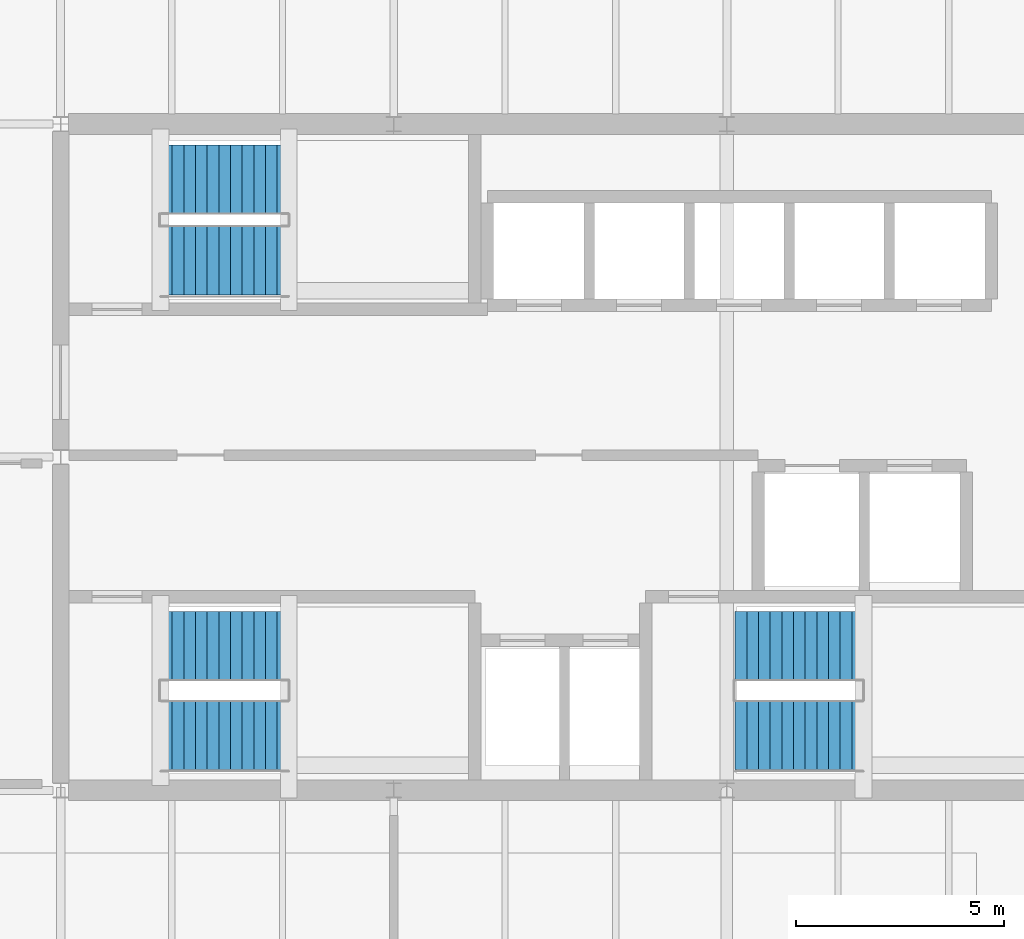
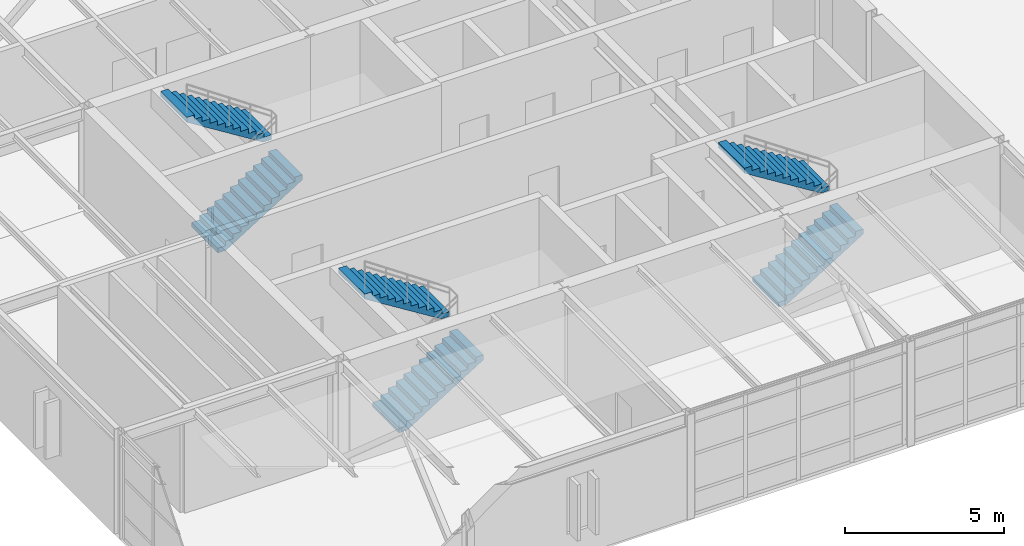
# One storey, part 19 of 21: 6 stair flights, 3 elements without a shape of their own.
"""IFC4 building model written with IfcOpenShell, lengths in metres."""

from ifc_helpers import new_model, si_unit, direction, frame, origin, place, context, subcontext, project, spatial, polyline, outline, extrude, material, type_object, element, aggregate, save


model = new_model("IFC4")

# Units and contexts
model_context = context("Model", 3, precision=1e-05, world=origin(), true_north=direction((0.0, 1.0)))
body_context = subcontext(model_context, "Body", "Model", "MODEL_VIEW")
ifc_project = project(units=[si_unit("LENGTHUNIT", "METRE"), si_unit("AREAUNIT", "SQUARE_METRE"), si_unit("VOLUMEUNIT", "CUBIC_METRE"), si_unit("PLANEANGLEUNIT", "RADIAN"), si_unit("MASSUNIT", "GRAM", prefix="KILO")], contexts=[model_context])

# Site, building, storey
site_placement = place(None, origin())
site = spatial("IfcSite", under=ifc_project, at=site_placement, CompositionType="ELEMENT")
building_placement = place(site_placement, origin())
building = spatial("IfcBuilding", under=site, at=building_placement, Name="Varnela Railside Interchange", CompositionType="ELEMENT")
storey_placement = place(building_placement, frame((0.0, 0.0, 23.800048828125)))
storey = spatial("IfcBuildingStorey", under=building, at=storey_placement, Name="L05", CompositionType="ELEMENT", Elevation=23.800048828125)

# Stair, stair flights
ifc_material = material(Name="Concrete C40", Category="concrete")
stair_type = type_object("IfcStairType", Name="Core Pressurized Stair ST-165", PredefinedType="TWO_STRAIGHT_RUN_STAIR", material=ifc_material)
stair_1_placement = place(storey_placement, origin())
stair_1 = element("IfcStair", 1, at=stair_1_placement, inside=storey, type_object=stair_type, Name="Stair ST-T1 (L05) (SF-202)", PredefinedType="TWO_STRAIGHT_RUN_STAIR")
stair_flight_type = type_object("IfcStairFlightType", Name="Concrete Stair Flight SF-165", PredefinedType="STRAIGHT", material=ifc_material)
stair_flight_1_placement = place(storey_placement, frame((14.39990234375, 55.324951171875, 0.0), z_axis=(0.0, 0.0, 1.0), x_axis=(1.0, 0.0, 0.0)))
stair_flight_1 = element("IfcStairFlight", 2, at=stair_flight_1_placement, type_object=stair_flight_type, Name="ST-T1 flight 1 (SF-203)", NumberOfRisers=12, NumberOfTreads=11, PredefinedType="STRAIGHT", RiserHeight=0.175, TreadLength=0.28, context=body_context, shape_type="SweptSolid", body=[
    extrude(outline(polyline([(0.0, 0.0), (0.0, 0.175048828125), (0.280029296875, 0.175048828125), (0.280029296875, 0.35009765625), (0.56005859375, 0.35009765625), (0.56005859375, 0.52490234375), (0.840087890625, 0.52490234375), (0.840087890625, 0.699951171875), (1.1201171875, 0.699951171875), (1.1201171875, 0.875), (1.39990234375, 0.875), (1.39990234375, 1.050048828125), (1.679931640625, 1.050048828125), (1.679931640625, 1.22509765625), (1.9599609375, 1.22509765625), (1.9599609375, 1.39990234375), (2.239990234375, 1.39990234375), (2.239990234375, 1.574951171875), (2.52001953125, 1.574951171875), (2.52001953125, 1.75), (2.800048828125, 1.75), (2.800048828125, 1.925048828125), (3.080078125, 1.925048828125), (3.080078125, 2.10009765625), (3.080078125, 1.736328125), (0.3017578125, 0.0), (0.0, 0.0)])), frame((0.0, 0.824951171875, 0.0), z_axis=(0.0, -1.0, 0.0), x_axis=(1.0, 0.0, 0.0)), (0.0, 0.0, 1.0), 1.64990234375),
])
stair_flight_2_placement = place(storey_placement, frame((17.47998046875, 57.47509765625, 2.099853515625), z_axis=(0.0, 0.0, 1.0), x_axis=(-1.0, 0.0, 0.0)))
stair_flight_2 = element("IfcStairFlight", 3, at=stair_flight_2_placement, type_object=stair_flight_type, Name="ST-T1 flight 2 (SF-204)", NumberOfRisers=12, NumberOfTreads=11, PredefinedType="STRAIGHT", RiserHeight=0.175, TreadLength=0.28, context=body_context, shape_type="SweptSolid", body=[
    extrude(outline(polyline([(0.0, 0.0), (0.0, 0.175048828125), (0.280029296875, 0.175048828125), (0.280029296875, 0.35009765625), (0.56005859375, 0.35009765625), (0.56005859375, 0.52490234375), (0.840087890625, 0.52490234375), (0.840087890625, 0.699951171875), (1.1201171875, 0.699951171875), (1.1201171875, 0.875), (1.39990234375, 0.875), (1.39990234375, 1.050048828125), (1.679931640625, 1.050048828125), (1.679931640625, 1.22509765625), (1.9599609375, 1.22509765625), (1.9599609375, 1.39990234375), (2.239990234375, 1.39990234375), (2.239990234375, 1.574951171875), (2.52001953125, 1.574951171875), (2.52001953125, 1.75), (2.800048828125, 1.75), (2.800048828125, 1.925048828125), (3.080078125, 1.925048828125), (3.080078125, 2.10009765625), (3.080078125, 1.736328125), (0.3017578125, 0.0), (0.0, 0.0)])), frame((0.0, 0.824951171875, 0.0), z_axis=(0.0, -1.0, 0.0), x_axis=(1.0, 0.0, 0.0)), (0.0, 0.0, 1.0), 1.64990234375),
])
aggregate(stair_1, [stair_flight_1, stair_flight_2])

stair_2_placement = place(storey_placement, origin())
stair_2 = element("IfcStair", 4, at=stair_2_placement, inside=storey, type_object=stair_type, Name="Stair ST-T2 (L05) (SF-205)", PredefinedType="TWO_STRAIGHT_RUN_STAIR")
stair_flight_3_placement = place(storey_placement, frame((28.199951171875, 55.324951171875, 0.0), z_axis=(0.0, 0.0, 1.0), x_axis=(1.0, 0.0, 0.0)))
stair_flight_3 = element("IfcStairFlight", 5, at=stair_flight_3_placement, type_object=stair_flight_type, Name="ST-T2 flight 1 (SF-206)", NumberOfRisers=12, NumberOfTreads=11, PredefinedType="STRAIGHT", RiserHeight=0.175, TreadLength=0.28, context=body_context, shape_type="SweptSolid", body=[
    extrude(outline(polyline([(0.0, 0.0), (0.0, 0.175048828125), (0.280029296875, 0.175048828125), (0.280029296875, 0.35009765625), (0.56005859375, 0.35009765625), (0.56005859375, 0.52490234375), (0.840087890625, 0.52490234375), (0.840087890625, 0.699951171875), (1.1201171875, 0.699951171875), (1.1201171875, 0.875), (1.39990234375, 0.875), (1.39990234375, 1.050048828125), (1.679931640625, 1.050048828125), (1.679931640625, 1.22509765625), (1.9599609375, 1.22509765625), (1.9599609375, 1.39990234375), (2.239990234375, 1.39990234375), (2.239990234375, 1.574951171875), (2.52001953125, 1.574951171875), (2.52001953125, 1.75), (2.800048828125, 1.75), (2.800048828125, 1.925048828125), (3.080078125, 1.925048828125), (3.080078125, 2.10009765625), (3.080078125, 1.736328125), (0.3017578125, 0.0), (0.0, 0.0)])), frame((0.0, 0.824951171875, 0.0), z_axis=(0.0, -1.0, 0.0), x_axis=(1.0, 0.0, 0.0)), (0.0, 0.0, 1.0), 1.64990234375),
])
stair_flight_4_placement = place(storey_placement, frame((31.280029296875, 57.47509765625, 2.099853515625), z_axis=(0.0, 0.0, 1.0), x_axis=(-1.0, 0.0, 0.0)))
stair_flight_4 = element("IfcStairFlight", 6, at=stair_flight_4_placement, type_object=stair_flight_type, Name="ST-T2 flight 2 (SF-207)", NumberOfRisers=12, NumberOfTreads=11, PredefinedType="STRAIGHT", RiserHeight=0.175, TreadLength=0.28, context=body_context, shape_type="SweptSolid", body=[
    extrude(outline(polyline([(0.0, 0.0), (0.0, 0.175048828125), (0.280029296875, 0.175048828125), (0.280029296875, 0.35009765625), (0.56005859375, 0.35009765625), (0.56005859375, 0.52490234375), (0.840087890625, 0.52490234375), (0.840087890625, 0.699951171875), (1.1201171875, 0.699951171875), (1.1201171875, 0.875), (1.39990234375, 0.875), (1.39990234375, 1.050048828125), (1.679931640625, 1.050048828125), (1.679931640625, 1.22509765625), (1.9599609375, 1.22509765625), (1.9599609375, 1.39990234375), (2.239990234375, 1.39990234375), (2.239990234375, 1.574951171875), (2.52001953125, 1.574951171875), (2.52001953125, 1.75), (2.800048828125, 1.75), (2.800048828125, 1.925048828125), (3.080078125, 1.925048828125), (3.080078125, 2.10009765625), (3.080078125, 1.736328125), (0.3017578125, 0.0), (0.0, 0.0)])), frame((0.0, 0.824951171875, 0.0), z_axis=(0.0, -1.0, 0.0), x_axis=(1.0, 0.0, 0.0)), (0.0, 0.0, 1.0), 1.64990234375),
])
aggregate(stair_2, [stair_flight_3, stair_flight_4])

stair_3_placement = place(storey_placement, origin())
stair_3 = element("IfcStair", 7, at=stair_3_placement, inside=storey, type_object=stair_type, Name="Stair ST-T3 (L05) (SF-208)", PredefinedType="TWO_STRAIGHT_RUN_STAIR")
stair_flight_5_placement = place(storey_placement, frame((14.39990234375, 66.72509765625, 0.0), z_axis=(0.0, 0.0, 1.0), x_axis=(1.0, 0.0, 0.0)))
stair_flight_5 = element("IfcStairFlight", 8, at=stair_flight_5_placement, type_object=stair_flight_type, Name="ST-T3 flight 1 (SF-209)", NumberOfRisers=12, NumberOfTreads=11, PredefinedType="STRAIGHT", RiserHeight=0.175, TreadLength=0.28, context=body_context, shape_type="SweptSolid", body=[
    extrude(outline(polyline([(0.0, 0.0), (0.0, 0.175048828125), (0.280029296875, 0.175048828125), (0.280029296875, 0.35009765625), (0.56005859375, 0.35009765625), (0.56005859375, 0.52490234375), (0.840087890625, 0.52490234375), (0.840087890625, 0.699951171875), (1.1201171875, 0.699951171875), (1.1201171875, 0.875), (1.39990234375, 0.875), (1.39990234375, 1.050048828125), (1.679931640625, 1.050048828125), (1.679931640625, 1.22509765625), (1.9599609375, 1.22509765625), (1.9599609375, 1.39990234375), (2.239990234375, 1.39990234375), (2.239990234375, 1.574951171875), (2.52001953125, 1.574951171875), (2.52001953125, 1.75), (2.800048828125, 1.75), (2.800048828125, 1.925048828125), (3.080078125, 1.925048828125), (3.080078125, 2.10009765625), (3.080078125, 1.736328125), (0.3017578125, 0.0), (0.0, 0.0)])), frame((0.0, 0.824951171875, 0.0), z_axis=(0.0, -1.0, 0.0), x_axis=(1.0, 0.0, 0.0)), (0.0, 0.0, 1.0), 1.64990234375),
])
stair_flight_6_placement = place(storey_placement, frame((17.47998046875, 68.675048828125, 2.099853515625), z_axis=(0.0, 0.0, 1.0), x_axis=(-1.0, 0.0, 0.0)))
stair_flight_6 = element("IfcStairFlight", 9, at=stair_flight_6_placement, type_object=stair_flight_type, Name="ST-T3 flight 2 (SF-210)", NumberOfRisers=12, NumberOfTreads=11, PredefinedType="STRAIGHT", RiserHeight=0.175, TreadLength=0.28, context=body_context, shape_type="SweptSolid", body=[
    extrude(outline(polyline([(0.0, 0.0), (0.0, 0.175048828125), (0.280029296875, 0.175048828125), (0.280029296875, 0.35009765625), (0.56005859375, 0.35009765625), (0.56005859375, 0.52490234375), (0.840087890625, 0.52490234375), (0.840087890625, 0.699951171875), (1.1201171875, 0.699951171875), (1.1201171875, 0.875), (1.39990234375, 0.875), (1.39990234375, 1.050048828125), (1.679931640625, 1.050048828125), (1.679931640625, 1.22509765625), (1.9599609375, 1.22509765625), (1.9599609375, 1.39990234375), (2.239990234375, 1.39990234375), (2.239990234375, 1.574951171875), (2.52001953125, 1.574951171875), (2.52001953125, 1.75), (2.800048828125, 1.75), (2.800048828125, 1.925048828125), (3.080078125, 1.925048828125), (3.080078125, 2.10009765625), (3.080078125, 1.736328125), (0.3017578125, 0.0), (0.0, 0.0)])), frame((0.0, 0.824951171875, 0.0), z_axis=(0.0, -1.0, 0.0), x_axis=(1.0, 0.0, 0.0)), (0.0, 0.0, 1.0), 1.64990234375),
])
aggregate(stair_3, [stair_flight_5, stair_flight_6])

save(model, "model.ifc")
